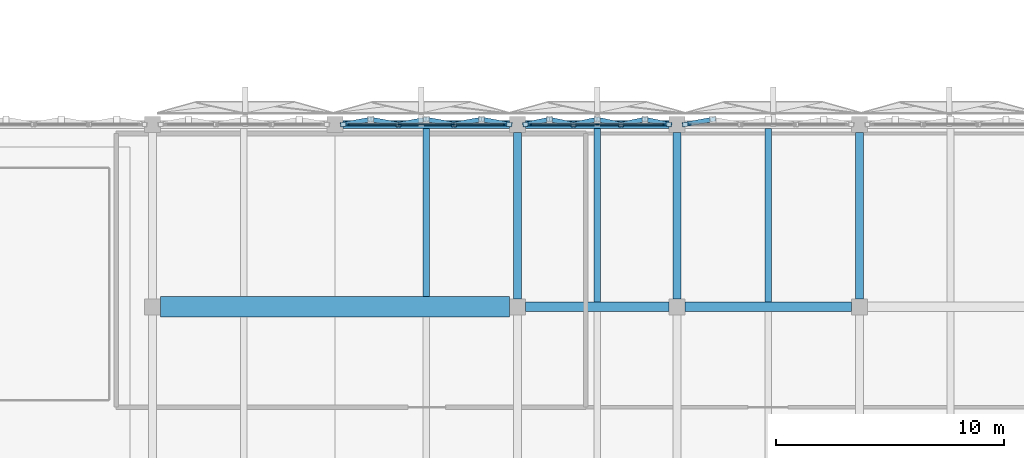
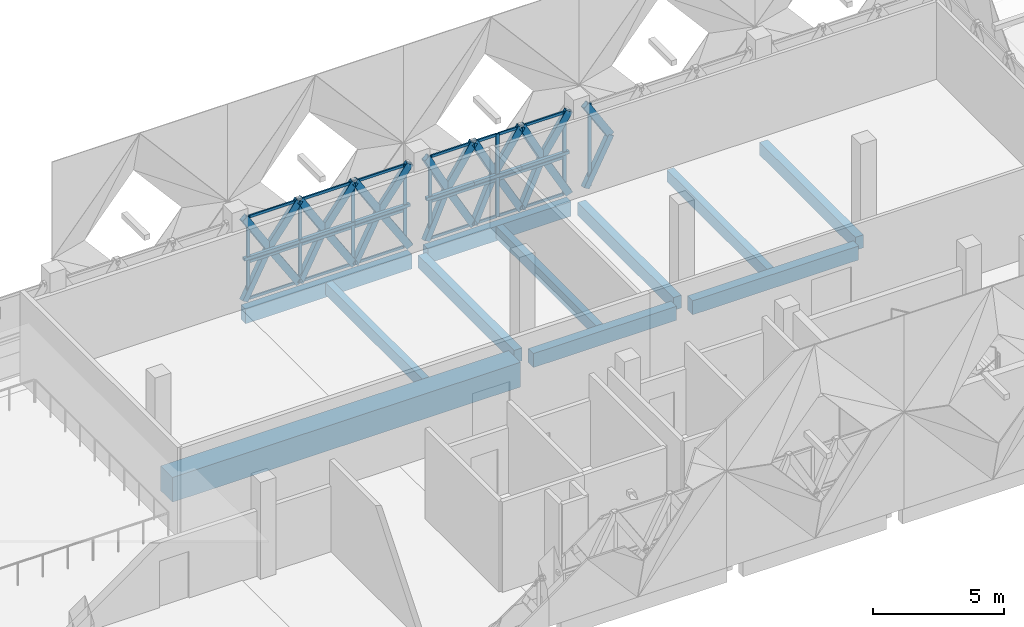
# One storey, part 14 of 37: 55 members, 11 beams, 3 elements without a shape of their own.
"""IFC4 building model written with IfcOpenShell, lengths in metres."""

from ifc_helpers import new_model, si_unit, direction, frame, origin, origin_2d, place, context, subcontext, project, spatial, rectangle, hollow_rectangle, extrude, material, layer, layer_set, material_profile, profile_set, type_object, element, aggregate, save


model = new_model("IFC4")

# Units and contexts
model_context = context("Model", 3, precision=1e-05, world=origin(), true_north=direction((0.0, 1.0)))
body_context = subcontext(model_context, "Body", "Model", "MODEL_VIEW")
ifc_project = project(units=[si_unit("LENGTHUNIT", "METRE"), si_unit("AREAUNIT", "SQUARE_METRE"), si_unit("VOLUMEUNIT", "CUBIC_METRE"), si_unit("PLANEANGLEUNIT", "RADIAN"), si_unit("MASSUNIT", "GRAM", prefix="KILO")], contexts=[model_context])

# Site, building, storey
site_placement = place(None, origin())
site = spatial("IfcSite", under=ifc_project, at=site_placement, CompositionType="ELEMENT")
building_placement = place(site_placement, origin())
building = spatial("IfcBuilding", under=site, at=building_placement, Name="Qorikala Patio Media Centre", CompositionType="ELEMENT")
storey_placement = place(building_placement, frame((0.0, 0.0, 14.39990234375)))
storey = spatial("IfcBuildingStorey", under=building, at=storey_placement, Name="L03", CompositionType="ELEMENT", Elevation=14.39990234375)

# Beams
ifc_material_1 = material(Name="Concrete C35/45", Category="concrete")
ifc_material_profile_1 = material_profile(ifc_material_1, rectangle(XDim=0.35009765625, YDim=0.60009765625, at=origin_2d()), Name="RC 350x600")
ifc_profile_set_1 = profile_set([ifc_material_profile_1], Name="Concrete C35/45")
beam_type_1 = type_object("IfcBeamType", Name="BM-G350X600", PredefinedType="BEAM", material=ifc_profile_set_1)
for number, where, z_axis, x_axis, name in (
    (1, (75.0, 19.35009765625, -0.599853515625), (0.0, 1.0, 0.0), (-1.0, 0.0, 0.0), "L03 Grid X=75 Beam 1252"),
    (2, (82.0, 19.35009765625, -0.599853515625), (0.0, 1.0, 0.0), (-1.0, 0.0, 0.0), "L03 Grid X=82 Beam 1258"),
    (3, (90.0, 19.35009765625, -0.599853515625), (0.0, 1.0, 0.0), (-1.0, 0.0, 0.0), "L03 Grid X=90 Beam 1260"),
):
    element("IfcBeam", number, at=place(storey_placement, frame(where, z_axis=z_axis, x_axis=x_axis)), inside=storey, type_object=beam_type_1, Name=name, PredefinedType="BEAM", context=body_context, shape_type="SweptSolid", body=[
        extrude(rectangle(XDim=0.35009765625, YDim=0.60009765625, at=origin_2d()), origin(), (0.0, 0.0, 1.0), 7.2998046875),
    ])
ifc_material_profile_2 = material_profile(ifc_material_1, rectangle(XDim=0.39990234375, YDim=0.64990234375, at=origin_2d()), Name="RC 400x650")
ifc_profile_set_2 = profile_set([ifc_material_profile_2], Name="Concrete C35/45")
beam_type_2 = type_object("IfcBeamType", Name="BM-G400X650", PredefinedType="BEAM", material=ifc_profile_set_2)
beam_1_placement = place(storey_placement, frame((75.35009765625, 19.0, -0.625), z_axis=(1.0, 0.0, 0.0), x_axis=(0.0, 1.0, 0.0)))
element("IfcBeam", 4, at=beam_1_placement, inside=storey, type_object=beam_type_2, Name="L03 Grid 19 Beam 1131", PredefinedType="BEAM", context=body_context, shape_type="SweptSolid", body=[
    extrude(rectangle(XDim=0.39990234375, YDim=0.64990234375, at=origin_2d()), origin(), (0.0, 0.0, 1.0), 6.2998046875),
])
beam_2_placement = place(storey_placement, frame((82.35009765625, 19.0, -0.625), z_axis=(1.0, 0.0, 0.0), x_axis=(0.0, 1.0, 0.0)))
element("IfcBeam", 5, at=beam_2_placement, inside=storey, type_object=beam_type_2, Name="L03 Grid 19 Beam 1132", PredefinedType="BEAM", context=body_context, shape_type="SweptSolid", body=[
    extrude(rectangle(XDim=0.39990234375, YDim=0.64990234375, at=origin_2d()), origin(), (0.0, 0.0, 1.0), 7.2998046875),
])
ifc_material_profile_3 = material_profile(ifc_material_1, rectangle(XDim=0.89990234375, YDim=1.14990234375, at=origin_2d()), Name="RC 900x1150")
ifc_profile_set_3 = profile_set([ifc_material_profile_3], Name="Concrete C35/45")
beam_type_3 = type_object("IfcBeamType", Name="BM-TR900X1150", PredefinedType="BEAM", material=ifc_profile_set_3)
beam_3_placement = place(storey_placement, frame((59.35009765625, 19.0, -0.875), z_axis=(1.0, 0.0, 0.0), x_axis=(0.0, 1.0, 0.0)))
element("IfcBeam", 6, at=beam_3_placement, inside=storey, type_object=beam_type_3, Name="L03 Grid 19 Beam 1130", PredefinedType="BEAM", context=body_context, shape_type="SweptSolid", body=[
    extrude(rectangle(XDim=0.89990234375, YDim=1.14990234375, at=origin_2d()), origin(), (0.0, 0.0, 1.0), 15.2998046875),
])

# Members
ifc_material_2 = material(Name="Golden Bronze Coated Steel S355", Category="steel")
ifc_material_profile_4 = material_profile(ifc_material_2, hollow_rectangle(XDim=0.139892578125, YDim=0.139892578125, WallThickness=0.006103515625, at=origin_2d()), Name="HSS140X140X6")
ifc_profile_set_4 = profile_set([ifc_material_profile_4], Name="Golden Bronze Coated Steel S355")
member_type_1 = type_object("IfcMemberType", Name="BRACE-DIA140", PredefinedType="BRACE", material=ifc_profile_set_4)
member_1_placement = place(storey_placement, frame((67.360107421875, 27.0, 1.925048828125), z_axis=(1.0, 0.0, 0.0), x_axis=(0.0, 1.0, 0.0)))
element("IfcMember", 7, at=member_1_placement, inside=storey, type_object=member_type_1, Name="L03 Diamond Fold Tie 097", PredefinedType="BRACE", context=body_context, shape_type="SweptSolid", body=[
    extrude(hollow_rectangle(XDim=0.139892578125, YDim=0.139892578125, WallThickness=0.006103515625, at=origin_2d()), origin(), (0.0, 0.0, 1.0), 2.426513671875),
])
member_2_placement = place(storey_placement, frame((69.78662109375, 27.0, 1.925048828125), z_axis=(1.0, 0.0, 0.0), x_axis=(0.0, 1.0, 0.0)))
element("IfcMember", 8, at=member_2_placement, inside=storey, type_object=member_type_1, Name="L03 Diamond Fold Tie 098", PredefinedType="BRACE", context=body_context, shape_type="SweptSolid", body=[
    extrude(hollow_rectangle(XDim=0.139892578125, YDim=0.139892578125, WallThickness=0.006103515625, at=origin_2d()), origin(), (0.0, 0.0, 1.0), 2.4267578125),
])
member_3_placement = place(storey_placement, frame((72.21337890625, 27.0, 1.925048828125), z_axis=(1.0, 0.0, 0.0), x_axis=(0.0, 1.0, 0.0)))
element("IfcMember", 9, at=member_3_placement, inside=storey, type_object=member_type_1, Name="L03 Diamond Fold Tie 099", PredefinedType="BRACE", context=body_context, shape_type="SweptSolid", body=[
    extrude(hollow_rectangle(XDim=0.139892578125, YDim=0.139892578125, WallThickness=0.006103515625, at=origin_2d()), origin(), (0.0, 0.0, 1.0), 2.426513671875),
])
for number, where, z_axis, x_axis, name in (
    (10, (75.360107421875, 27.0, 1.925048828125), (1.0, 0.0, 0.0), (0.0, 1.0, 0.0), "L03 Diamond Fold Tie 100"),
    (11, (77.453369140625, 27.0, 1.925048828125), (1.0, 0.0, 0.0), (0.0, 1.0, 0.0), "L03 Diamond Fold Tie 101"),
    (12, (79.546630859375, 27.0, 1.925048828125), (1.0, 0.0, 0.0), (0.0, 1.0, 0.0), "L03 Diamond Fold Tie 102"),
):
    element("IfcMember", number, at=place(storey_placement, frame(where, z_axis=z_axis, x_axis=x_axis)), inside=storey, type_object=member_type_1, Name=name, PredefinedType="BRACE", context=body_context, shape_type="SweptSolid", body=[
        extrude(hollow_rectangle(XDim=0.139892578125, YDim=0.139892578125, WallThickness=0.006103515625, at=origin_2d()), origin(), (0.0, 0.0, 1.0), 2.09326171875),
    ])

# Curtain wall, members
ifc_material_3 = material(Name="Golden Bronze Anodised Aluminium and Low-E Glass", Category="aluminium")
ifc_layer_1 = layer(ifc_material_3, 0.159912109375)
ifc_layer_set_1 = layer_set([ifc_layer_1], Name="Golden Bronze Anodised Aluminium and Low-E Glass")
curtain_wall_type_1 = type_object("IfcCurtainWallType", Name="CW-DIA-696X385", PredefinedType="USERDEFINED", material=ifc_layer_set_1)
curtain_wall_1_placement = place(storey_placement, origin())
curtain_wall_1 = element("IfcCurtainWall", 13, at=curtain_wall_1_placement, inside=storey, type_object=curtain_wall_type_1, Name="L03 Courtyard Curtain Wall 074", ObjectType="COURTYARD CURTAIN WALL", PredefinedType="USERDEFINED")
ifc_material_4 = material(Name="Golden Bronze Anodised Aluminium", Category="aluminium")
ifc_material_profile_5 = material_profile(ifc_material_4, rectangle(XDim=0.06494140625, YDim=0.14990234375, at=origin_2d()), Name="ALU MULLION 65x150")
ifc_profile_set_5 = profile_set([ifc_material_profile_5], Name="Golden Bronze Anodised Aluminium")
member_type_2 = type_object("IfcMemberType", Name="CWM-65X150", PredefinedType="MULLION", material=ifc_profile_set_5)
member_4_placement = place(storey_placement, frame((67.552490234375, 27.0, 0.0), z_axis=(0.0, 0.0, 1.0), x_axis=(0.0, 1.0, 0.0)))
member_4 = element("IfcMember", 14, at=member_4_placement, type_object=member_type_2, Name="CWD696385 mullion 1", PredefinedType="MULLION", context=body_context, shape_type="SweptSolid", body=[
    extrude(rectangle(XDim=0.06494140625, YDim=0.14990234375, at=origin_2d()), origin(), (0.0, 0.0, 1.0), 3.85009765625),
])
member_5_placement = place(storey_placement, frame((69.840087890625, 27.0, 0.0), z_axis=(0.0, 0.0, 1.0), x_axis=(0.0, 1.0, 0.0)))
member_5 = element("IfcMember", 15, at=member_5_placement, type_object=member_type_2, Name="CWD696385 mullion 2", PredefinedType="MULLION", context=body_context, shape_type="SweptSolid", body=[
    extrude(rectangle(XDim=0.06494140625, YDim=0.14990234375, at=origin_2d()), origin(), (0.0, 0.0, 1.0), 3.85009765625),
])
member_6_placement = place(storey_placement, frame((72.159912109375, 27.0, 0.0), z_axis=(0.0, 0.0, 1.0), x_axis=(0.0, 1.0, 0.0)))
member_6 = element("IfcMember", 16, at=member_6_placement, type_object=member_type_2, Name="CWD696385 mullion 3", PredefinedType="MULLION", context=body_context, shape_type="SweptSolid", body=[
    extrude(rectangle(XDim=0.06494140625, YDim=0.14990234375, at=origin_2d()), origin(), (0.0, 0.0, 1.0), 3.85009765625),
])
member_7_placement = place(storey_placement, frame((74.447509765625, 27.0, 0.0), z_axis=(0.0, 0.0, 1.0), x_axis=(0.0, 1.0, 0.0)))
member_7 = element("IfcMember", 17, at=member_7_placement, type_object=member_type_2, Name="CWD696385 mullion 4", PredefinedType="MULLION", context=body_context, shape_type="SweptSolid", body=[
    extrude(rectangle(XDim=0.06494140625, YDim=0.14990234375, at=origin_2d()), origin(), (0.0, 0.0, 1.0), 3.85009765625),
])

ifc_layer_2 = layer(ifc_material_3, 0.159912109375)
ifc_layer_set_2 = layer_set([ifc_layer_2], Name="Golden Bronze Anodised Aluminium and Low-E Glass")
curtain_wall_type_2 = type_object("IfcCurtainWallType", Name="CW-DIA-596X385", PredefinedType="USERDEFINED", material=ifc_layer_set_2)
curtain_wall_2_placement = place(storey_placement, origin())
curtain_wall_2 = element("IfcCurtainWall", 18, at=curtain_wall_2_placement, inside=storey, type_object=curtain_wall_type_2, Name="L03 Courtyard Curtain Wall 075", ObjectType="COURTYARD CURTAIN WALL", PredefinedType="USERDEFINED")
member_8_placement = place(storey_placement, frame((75.552490234375, 27.0, 0.0), z_axis=(0.0, 0.0, 1.0), x_axis=(0.0, 1.0, 0.0)))
member_8 = element("IfcMember", 19, at=member_8_placement, type_object=member_type_2, Name="CWD596385 mullion 1", PredefinedType="MULLION", context=body_context, shape_type="SweptSolid", body=[
    extrude(rectangle(XDim=0.06494140625, YDim=0.14990234375, at=origin_2d()), origin(), (0.0, 0.0, 1.0), 3.85009765625),
])
member_9_placement = place(storey_placement, frame((78.5, 27.0, 0.0), z_axis=(0.0, 0.0, 1.0), x_axis=(0.0, 1.0, 0.0)))
member_9 = element("IfcMember", 20, at=member_9_placement, type_object=member_type_2, Name="CWD596385 mullion 2", PredefinedType="MULLION", context=body_context, shape_type="SweptSolid", body=[
    extrude(rectangle(XDim=0.06494140625, YDim=0.14990234375, at=origin_2d()), origin(), (0.0, 0.0, 1.0), 3.85009765625),
])
member_10_placement = place(storey_placement, frame((81.447509765625, 27.0, 0.0), z_axis=(0.0, 0.0, 1.0), x_axis=(0.0, 1.0, 0.0)))
member_10 = element("IfcMember", 21, at=member_10_placement, type_object=member_type_2, Name="CWD596385 mullion 3", PredefinedType="MULLION", context=body_context, shape_type="SweptSolid", body=[
    extrude(rectangle(XDim=0.06494140625, YDim=0.14990234375, at=origin_2d()), origin(), (0.0, 0.0, 1.0), 3.85009765625),
])

# Curtain wall, member
curtain_wall_3_placement = place(storey_placement, origin())
curtain_wall_3 = element("IfcCurtainWall", 22, at=curtain_wall_3_placement, inside=storey, type_object=curtain_wall_type_1, Name="L03 Courtyard Curtain Wall 076", ObjectType="COURTYARD CURTAIN WALL", PredefinedType="USERDEFINED")
member_11_placement = place(storey_placement, frame((82.552490234375, 27.0, 0.0), z_axis=(0.0, 0.0, 1.0), x_axis=(0.0, 1.0, 0.0)))
member_11 = element("IfcMember", 23, at=member_11_placement, type_object=member_type_2, Name="CWD696385 mullion 1", PredefinedType="MULLION", context=body_context, shape_type="SweptSolid", body=[
    extrude(rectangle(XDim=0.06494140625, YDim=0.14990234375, at=origin_2d()), origin(), (0.0, 0.0, 1.0), 3.85009765625),
])
aggregate(curtain_wall_3, [member_11])

# Member
ifc_material_profile_6 = material_profile(ifc_material_4, rectangle(XDim=0.06494140625, YDim=0.1201171875, at=origin_2d()), Name="ALU TRANSOM 65x120")
ifc_profile_set_6 = profile_set([ifc_material_profile_6], Name="Golden Bronze Anodised Aluminium")
member_type_3 = type_object("IfcMemberType", Name="CWT-65X120", PredefinedType="USERDEFINED", material=ifc_profile_set_6)
member_12_placement = place(storey_placement, frame((67.5849609375, 27.0, 0.03271484375), z_axis=(1.0, 0.0, 0.0), x_axis=(0.0, 1.0, 0.0)))
member_12 = element("IfcMember", 24, at=member_12_placement, type_object=member_type_3, Name="CWD696385 transom 1.1", ObjectType="TRANSOM", PredefinedType="USERDEFINED", context=body_context, shape_type="SweptSolid", body=[
    extrude(rectangle(XDim=0.06494140625, YDim=0.1201171875, at=origin_2d()), origin(), (0.0, 0.0, 1.0), 2.22265625),
])

member_13_placement = place(storey_placement, frame((67.5849609375, 27.0, 1.732666015625), z_axis=(1.0, 0.0, 0.0), x_axis=(0.0, 1.0, 0.0)))
member_13 = element("IfcMember", 25, at=member_13_placement, type_object=member_type_3, Name="CWD696385 transom 1.2", ObjectType="TRANSOM", PredefinedType="USERDEFINED", context=body_context, shape_type="SweptSolid", body=[
    extrude(rectangle(XDim=0.06494140625, YDim=0.1201171875, at=origin_2d()), origin(), (0.0, 0.0, 1.0), 2.22265625),
])

member_14_placement = place(storey_placement, frame((67.5849609375, 27.0, 3.817626953125), z_axis=(1.0, 0.0, 0.0), x_axis=(0.0, 1.0, 0.0)))
member_14 = element("IfcMember", 26, at=member_14_placement, type_object=member_type_3, Name="CWD696385 transom 1.3", ObjectType="TRANSOM", PredefinedType="USERDEFINED", context=body_context, shape_type="SweptSolid", body=[
    extrude(rectangle(XDim=0.06494140625, YDim=0.1201171875, at=origin_2d()), origin(), (0.0, 0.0, 1.0), 2.22265625),
])

member_15_placement = place(storey_placement, frame((69.87255859375, 27.0, 0.03271484375), z_axis=(1.0, 0.0, 0.0), x_axis=(0.0, 1.0, 0.0)))
member_15 = element("IfcMember", 27, at=member_15_placement, type_object=member_type_3, Name="CWD696385 transom 2.1", ObjectType="TRANSOM", PredefinedType="USERDEFINED", context=body_context, shape_type="SweptSolid", body=[
    extrude(rectangle(XDim=0.06494140625, YDim=0.1201171875, at=origin_2d()), origin(), (0.0, 0.0, 1.0), 2.2548828125),
])

member_16_placement = place(storey_placement, frame((69.87255859375, 27.0, 1.732666015625), z_axis=(1.0, 0.0, 0.0), x_axis=(0.0, 1.0, 0.0)))
member_16 = element("IfcMember", 28, at=member_16_placement, type_object=member_type_3, Name="CWD696385 transom 2.2", ObjectType="TRANSOM", PredefinedType="USERDEFINED", context=body_context, shape_type="SweptSolid", body=[
    extrude(rectangle(XDim=0.06494140625, YDim=0.1201171875, at=origin_2d()), origin(), (0.0, 0.0, 1.0), 2.2548828125),
])

member_17_placement = place(storey_placement, frame((69.87255859375, 27.0, 3.817626953125), z_axis=(1.0, 0.0, 0.0), x_axis=(0.0, 1.0, 0.0)))
member_17 = element("IfcMember", 29, at=member_17_placement, type_object=member_type_3, Name="CWD696385 transom 2.3", ObjectType="TRANSOM", PredefinedType="USERDEFINED", context=body_context, shape_type="SweptSolid", body=[
    extrude(rectangle(XDim=0.06494140625, YDim=0.1201171875, at=origin_2d()), origin(), (0.0, 0.0, 1.0), 2.2548828125),
])

member_18_placement = place(storey_placement, frame((72.1923828125, 27.0, 0.03271484375), z_axis=(1.0, 0.0, 0.0), x_axis=(0.0, 1.0, 0.0)))
member_18 = element("IfcMember", 30, at=member_18_placement, type_object=member_type_3, Name="CWD696385 transom 3.1", ObjectType="TRANSOM", PredefinedType="USERDEFINED", context=body_context, shape_type="SweptSolid", body=[
    extrude(rectangle(XDim=0.06494140625, YDim=0.1201171875, at=origin_2d()), origin(), (0.0, 0.0, 1.0), 2.22265625),
])

member_19_placement = place(storey_placement, frame((72.1923828125, 27.0, 1.732666015625), z_axis=(1.0, 0.0, 0.0), x_axis=(0.0, 1.0, 0.0)))
member_19 = element("IfcMember", 31, at=member_19_placement, type_object=member_type_3, Name="CWD696385 transom 3.2", ObjectType="TRANSOM", PredefinedType="USERDEFINED", context=body_context, shape_type="SweptSolid", body=[
    extrude(rectangle(XDim=0.06494140625, YDim=0.1201171875, at=origin_2d()), origin(), (0.0, 0.0, 1.0), 2.22265625),
])

member_20_placement = place(storey_placement, frame((72.1923828125, 27.0, 3.817626953125), z_axis=(1.0, 0.0, 0.0), x_axis=(0.0, 1.0, 0.0)))
member_20 = element("IfcMember", 32, at=member_20_placement, type_object=member_type_3, Name="CWD696385 transom 3.3", ObjectType="TRANSOM", PredefinedType="USERDEFINED", context=body_context, shape_type="SweptSolid", body=[
    extrude(rectangle(XDim=0.06494140625, YDim=0.1201171875, at=origin_2d()), origin(), (0.0, 0.0, 1.0), 2.22265625),
])

aggregate(curtain_wall_1, [member_4, member_5, member_6, member_7, member_12, member_13, member_14, member_15, member_16, member_17, member_18, member_19, member_20])

member_21_placement = place(storey_placement, frame((75.5849609375, 27.0, 0.03271484375), z_axis=(1.0, 0.0, 0.0), x_axis=(0.0, 1.0, 0.0)))
member_21 = element("IfcMember", 33, at=member_21_placement, type_object=member_type_3, Name="CWD596385 transom 1.1", ObjectType="TRANSOM", PredefinedType="USERDEFINED", context=body_context, shape_type="SweptSolid", body=[
    extrude(rectangle(XDim=0.06494140625, YDim=0.1201171875, at=origin_2d()), origin(), (0.0, 0.0, 1.0), 2.882568359375),
])

member_22_placement = place(storey_placement, frame((75.5849609375, 27.0, 1.732666015625), z_axis=(1.0, 0.0, 0.0), x_axis=(0.0, 1.0, 0.0)))
member_22 = element("IfcMember", 34, at=member_22_placement, type_object=member_type_3, Name="CWD596385 transom 1.2", ObjectType="TRANSOM", PredefinedType="USERDEFINED", context=body_context, shape_type="SweptSolid", body=[
    extrude(rectangle(XDim=0.06494140625, YDim=0.1201171875, at=origin_2d()), origin(), (0.0, 0.0, 1.0), 2.882568359375),
])

member_23_placement = place(storey_placement, frame((75.5849609375, 27.0, 3.817626953125), z_axis=(1.0, 0.0, 0.0), x_axis=(0.0, 1.0, 0.0)))
member_23 = element("IfcMember", 35, at=member_23_placement, type_object=member_type_3, Name="CWD596385 transom 1.3", ObjectType="TRANSOM", PredefinedType="USERDEFINED", context=body_context, shape_type="SweptSolid", body=[
    extrude(rectangle(XDim=0.06494140625, YDim=0.1201171875, at=origin_2d()), origin(), (0.0, 0.0, 1.0), 2.882568359375),
])

member_24_placement = place(storey_placement, frame((78.532470703125, 27.0, 0.03271484375), z_axis=(1.0, 0.0, 0.0), x_axis=(0.0, 1.0, 0.0)))
member_24 = element("IfcMember", 36, at=member_24_placement, type_object=member_type_3, Name="CWD596385 transom 2.1", ObjectType="TRANSOM", PredefinedType="USERDEFINED", context=body_context, shape_type="SweptSolid", body=[
    extrude(rectangle(XDim=0.06494140625, YDim=0.1201171875, at=origin_2d()), origin(), (0.0, 0.0, 1.0), 2.882568359375),
])

member_25_placement = place(storey_placement, frame((78.532470703125, 27.0, 1.732666015625), z_axis=(1.0, 0.0, 0.0), x_axis=(0.0, 1.0, 0.0)))
member_25 = element("IfcMember", 37, at=member_25_placement, type_object=member_type_3, Name="CWD596385 transom 2.2", ObjectType="TRANSOM", PredefinedType="USERDEFINED", context=body_context, shape_type="SweptSolid", body=[
    extrude(rectangle(XDim=0.06494140625, YDim=0.1201171875, at=origin_2d()), origin(), (0.0, 0.0, 1.0), 2.882568359375),
])

member_26_placement = place(storey_placement, frame((78.532470703125, 27.0, 3.817626953125), z_axis=(1.0, 0.0, 0.0), x_axis=(0.0, 1.0, 0.0)))
member_26 = element("IfcMember", 38, at=member_26_placement, type_object=member_type_3, Name="CWD596385 transom 2.3", ObjectType="TRANSOM", PredefinedType="USERDEFINED", context=body_context, shape_type="SweptSolid", body=[
    extrude(rectangle(XDim=0.06494140625, YDim=0.1201171875, at=origin_2d()), origin(), (0.0, 0.0, 1.0), 2.882568359375),
])

aggregate(curtain_wall_2, [member_8, member_9, member_10, member_21, member_22, member_23, member_24, member_25, member_26])

# Beams
ifc_material_profile_7 = material_profile(ifc_material_1, rectangle(XDim=0.300048828125, YDim=0.550048828125, at=origin_2d()), Name="RC 300x550")
ifc_profile_set_7 = profile_set([ifc_material_profile_7], Name="Concrete C35/45")
beam_type_4 = type_object("IfcBeamType", Name="JS-300X550", PredefinedType="JOIST", material=ifc_profile_set_7)
beam_4_placement = place(storey_placement, frame((71.0, 19.449951171875, -0.574951171875), z_axis=(0.0, 1.0, 0.0), x_axis=(-1.0, 0.0, 0.0)))
element("IfcBeam", 39, at=beam_4_placement, inside=storey, type_object=beam_type_4, Name="L03 Secondary Joist 1307", PredefinedType="JOIST", context=body_context, shape_type="SweptSolid", body=[
    extrude(rectangle(XDim=0.300048828125, YDim=0.550048828125, at=origin_2d()), origin(), (0.0, 0.0, 1.0), 7.375),
])
for number, where, z_axis, x_axis, name in (
    (40, (78.5, 19.199951171875, -0.574951171875), (0.0, 1.0, 0.0), (-1.0, 0.0, 0.0), "L03 Secondary Joist 1313"),
    (41, (86.0, 19.199951171875, -0.574951171875), (0.0, 1.0, 0.0), (-1.0, 0.0, 0.0), "L03 Secondary Joist 1315"),
):
    element("IfcBeam", number, at=place(storey_placement, frame(where, z_axis=z_axis, x_axis=x_axis)), inside=storey, type_object=beam_type_4, Name=name, PredefinedType="JOIST", context=body_context, shape_type="SweptSolid", body=[
        extrude(rectangle(XDim=0.300048828125, YDim=0.550048828125, at=origin_2d()), origin(), (0.0, 0.0, 1.0), 7.625),
    ])
ifc_material_profile_8 = material_profile(ifc_material_1, rectangle(XDim=0.35009765625, YDim=0.679931640625, at=origin_2d()), Name="RC 350x680")
ifc_profile_set_8 = profile_set([ifc_material_profile_8], Name="Concrete C35/45")
beam_type_5 = type_object("IfcBeamType", Name="SP-350X680", PredefinedType="SPANDREL", material=ifc_profile_set_8)
beam_5_placement = place(storey_placement, frame((67.35009765625, 27.0, -0.639892578125), z_axis=(1.0, 0.0, 0.0), x_axis=(0.0, 1.0, 0.0)))
element("IfcBeam", 42, at=beam_5_placement, inside=storey, type_object=beam_type_5, Name="L03 Grid 27 Beam 1142", PredefinedType="SPANDREL", context=body_context, shape_type="SweptSolid", body=[
    extrude(rectangle(XDim=0.35009765625, YDim=0.679931640625, at=origin_2d()), origin(), (0.0, 0.0, 1.0), 7.2998046875),
])
beam_6_placement = place(storey_placement, frame((75.35009765625, 27.0, -0.639892578125), z_axis=(1.0, 0.0, 0.0), x_axis=(0.0, 1.0, 0.0)))
element("IfcBeam", 43, at=beam_6_placement, inside=storey, type_object=beam_type_5, Name="L03 Grid 27 Beam 1143", PredefinedType="SPANDREL", context=body_context, shape_type="SweptSolid", body=[
    extrude(rectangle(XDim=0.35009765625, YDim=0.679931640625, at=origin_2d()), origin(), (0.0, 0.0, 1.0), 6.2998046875),
])

# Members
ifc_material_profile_9 = material_profile(ifc_material_2, hollow_rectangle(XDim=0.199951171875, YDim=0.300048828125, WallThickness=0.011962890625, at=origin_2d()), Name="HSS300X200X12")
ifc_profile_set_9 = profile_set([ifc_material_profile_9], Name="Golden Bronze Coated Steel S355")
member_type_4 = type_object("IfcMemberType", Name="STRUT-DIA300", PredefinedType="STRUT", material=ifc_profile_set_9)
member_27_placement = place(storey_placement, frame((67.360107421875, 27.0, 0.0), z_axis=(0.530691378365, 0.095906793675, 0.842121456713), x_axis=(-0.17783968734, 0.984059472596, 0.0)))
element("IfcMember", 44, at=member_27_placement, inside=storey, type_object=member_type_4, Name="L03 Diamond Foyer Fold Strut 097-DL1", PredefinedType="STRUT", context=body_context, shape_type="SweptSolid", body=[
    extrude(hollow_rectangle(XDim=0.199951171875, YDim=0.300048828125, WallThickness=0.011962890625, at=origin_2d()), origin(), (0.0, 0.0, 1.0), 2.285888671875),
])
member_28_placement = place(storey_placement, frame((69.78662109375, 27.0, 0.0), z_axis=(-0.530768093717, 0.095901357778, 0.842073726148), x_axis=(-0.177805036072, -0.98406573416, 0.0)))
element("IfcMember", 45, at=member_28_placement, inside=storey, type_object=member_type_4, Name="L03 Diamond Foyer Fold Strut 097-DL2", PredefinedType="STRUT", context=body_context, shape_type="SweptSolid", body=[
    extrude(hollow_rectangle(XDim=0.199951171875, YDim=0.300048828125, WallThickness=0.011962890625, at=origin_2d()), origin(), (0.0, 0.0, 1.0), 2.2861328125),
])
member_29_placement = place(storey_placement, frame((68.5732421875, 27.21923828125, 1.925048828125), z_axis=(-0.530691378365, -0.095906793675, 0.842121456713), x_axis=(0.17783968734, -0.984059472596, 0.0)))
element("IfcMember", 46, at=member_29_placement, inside=storey, type_object=member_type_4, Name="L03 Diamond Foyer Fold Strut 097-DU1", PredefinedType="STRUT", context=body_context, shape_type="SweptSolid", body=[
    extrude(hollow_rectangle(XDim=0.199951171875, YDim=0.300048828125, WallThickness=0.011962890625, at=origin_2d()), origin(), (0.0, 0.0, 1.0), 2.285888671875),
])
for number, where, z_axis, x_axis, name in (
    (47, (68.5732421875, 27.21923828125, 1.925048828125), (0.530768093717, -0.095901357778, 0.842073726148), (0.177805036072, 0.98406573416, 0.0), "L03 Diamond Foyer Fold Strut 097-DU2"),
    (48, (69.78662109375, 27.0, 0.0), (0.530768093717, 0.095901357778, 0.842073726148), (-0.177805036072, 0.98406573416, 0.0), "L03 Diamond Foyer Fold Strut 098-DL1"),
    (49, (72.21337890625, 27.0, 0.0), (-0.530768093717, 0.095901357778, 0.842073726148), (-0.177805036072, -0.98406573416, 0.0), "L03 Diamond Foyer Fold Strut 098-DL2"),
    (50, (71.0, 27.21923828125, 1.925048828125), (-0.530768093717, -0.095901357778, 0.842073726148), (0.177805036072, -0.98406573416, 0.0), "L03 Diamond Foyer Fold Strut 098-DU1"),
    (51, (71.0, 27.21923828125, 1.925048828125), (0.530768093717, -0.095901357778, 0.842073726148), (0.177805036072, 0.98406573416, 0.0), "L03 Diamond Foyer Fold Strut 098-DU2"),
    (52, (72.21337890625, 27.0, 0.0), (0.530768093717, 0.095901357778, 0.842073726148), (-0.177805036072, 0.98406573416, 0.0), "L03 Diamond Foyer Fold Strut 099-DL1"),
):
    element("IfcMember", number, at=place(storey_placement, frame(where, z_axis=z_axis, x_axis=x_axis)), inside=storey, type_object=member_type_4, Name=name, PredefinedType="STRUT", context=body_context, shape_type="SweptSolid", body=[
        extrude(hollow_rectangle(XDim=0.199951171875, YDim=0.300048828125, WallThickness=0.011962890625, at=origin_2d()), origin(), (0.0, 0.0, 1.0), 2.2861328125),
    ])
member_30_placement = place(storey_placement, frame((74.639892578125, 27.0, 0.0), z_axis=(-0.530691378365, 0.095906793675, 0.842121456713), x_axis=(-0.17783968734, -0.984059472596, 0.0)))
element("IfcMember", 53, at=member_30_placement, inside=storey, type_object=member_type_4, Name="L03 Diamond Foyer Fold Strut 099-DL2", PredefinedType="STRUT", context=body_context, shape_type="SweptSolid", body=[
    extrude(hollow_rectangle(XDim=0.199951171875, YDim=0.300048828125, WallThickness=0.011962890625, at=origin_2d()), origin(), (0.0, 0.0, 1.0), 2.285888671875),
])
member_31_placement = place(storey_placement, frame((73.4267578125, 27.21923828125, 1.925048828125), z_axis=(-0.530768093717, -0.095901357778, 0.842073726148), x_axis=(0.177805036072, -0.98406573416, 0.0)))
element("IfcMember", 54, at=member_31_placement, inside=storey, type_object=member_type_4, Name="L03 Diamond Foyer Fold Strut 099-DU1", PredefinedType="STRUT", context=body_context, shape_type="SweptSolid", body=[
    extrude(hollow_rectangle(XDim=0.199951171875, YDim=0.300048828125, WallThickness=0.011962890625, at=origin_2d()), origin(), (0.0, 0.0, 1.0), 2.2861328125),
])
member_32_placement = place(storey_placement, frame((73.4267578125, 27.21923828125, 1.925048828125), z_axis=(0.530691378365, -0.095906793675, 0.842121456713), x_axis=(0.17783968734, 0.984059472596, 0.0)))
element("IfcMember", 55, at=member_32_placement, inside=storey, type_object=member_type_4, Name="L03 Diamond Foyer Fold Strut 099-DU2", PredefinedType="STRUT", context=body_context, shape_type="SweptSolid", body=[
    extrude(hollow_rectangle(XDim=0.199951171875, YDim=0.300048828125, WallThickness=0.011962890625, at=origin_2d()), origin(), (0.0, 0.0, 1.0), 2.285888671875),
])
for number, where, z_axis, x_axis, name in (
    (56, (75.360107421875, 27.0, 0.0), (0.475284177813, 0.099558010654, 0.87418141872), (-0.205020837962, 0.9787576084, 0.0), "L03 Diamond Foyer Fold Strut 100-DL1"),
    (57, (77.453369140625, 27.0, 0.0), (-0.475284177813, 0.099558010654, 0.87418141872), (-0.205020837962, -0.9787576084, 0.0), "L03 Diamond Foyer Fold Strut 100-DL2"),
    (58, (76.40673828125, 27.21923828125, 1.925048828125), (-0.475284177813, -0.099558010654, 0.87418141872), (0.205020837962, -0.9787576084, 0.0), "L03 Diamond Foyer Fold Strut 100-DU1"),
    (59, (76.40673828125, 27.21923828125, 1.925048828125), (0.475284177813, -0.099558010654, 0.87418141872), (0.205020837962, 0.9787576084, 0.0), "L03 Diamond Foyer Fold Strut 100-DU2"),
    (60, (77.453369140625, 27.0, 0.0), (0.475284177813, 0.099558010654, 0.87418141872), (-0.205020837962, 0.9787576084, 0.0), "L03 Diamond Foyer Fold Strut 101-DL1"),
    (61, (79.546630859375, 27.0, 0.0), (-0.475284177813, 0.099558010654, 0.87418141872), (-0.205020837962, -0.9787576084, 0.0), "L03 Diamond Foyer Fold Strut 101-DL2"),
    (62, (78.5, 27.21923828125, 1.925048828125), (-0.475284177813, -0.099558010654, 0.87418141872), (0.205020837962, -0.9787576084, 0.0), "L03 Diamond Foyer Fold Strut 101-DU1"),
    (63, (78.5, 27.21923828125, 1.925048828125), (0.475284177813, -0.099558010654, 0.87418141872), (0.205020837962, 0.9787576084, 0.0), "L03 Diamond Foyer Fold Strut 101-DU2"),
    (64, (79.546630859375, 27.0, 0.0), (0.475284177813, 0.099558010654, 0.87418141872), (-0.205020837962, 0.9787576084, 0.0), "L03 Diamond Foyer Fold Strut 102-DL1"),
    (65, (81.639892578125, 27.0, 0.0), (-0.475284177813, 0.099558010654, 0.87418141872), (-0.205020837962, -0.9787576084, 0.0), "L03 Diamond Foyer Fold Strut 102-DL2"),
    (66, (80.59326171875, 27.21923828125, 1.925048828125), (-0.475284177813, -0.099558010654, 0.87418141872), (0.205020837962, -0.9787576084, 0.0), "L03 Diamond Foyer Fold Strut 102-DU1"),
    (67, (80.59326171875, 27.21923828125, 1.925048828125), (0.475284177813, -0.099558010654, 0.87418141872), (0.205020837962, 0.9787576084, 0.0), "L03 Diamond Foyer Fold Strut 102-DU2"),
):
    element("IfcMember", number, at=place(storey_placement, frame(where, z_axis=z_axis, x_axis=x_axis)), inside=storey, type_object=member_type_4, Name=name, PredefinedType="STRUT", context=body_context, shape_type="SweptSolid", body=[
        extrude(hollow_rectangle(XDim=0.199951171875, YDim=0.300048828125, WallThickness=0.011962890625, at=origin_2d()), origin(), (0.0, 0.0, 1.0), 2.2021484375),
    ])
for number, where, z_axis, x_axis, name in (
    (68, (82.360107421875, 27.0, 0.0), (0.530691378365, 0.095906793675, 0.842121456713), (-0.17783968734, 0.984059472596, 0.0), "L03 Diamond Foyer Fold Strut 103-DL1"),
    (69, (83.5732421875, 27.21923828125, 1.925048828125), (-0.530691378365, -0.095906793675, 0.842121456713), (0.17783968734, -0.984059472596, 0.0), "L03 Diamond Foyer Fold Strut 103-DU1"),
):
    element("IfcMember", number, at=place(storey_placement, frame(where, z_axis=z_axis, x_axis=x_axis)), inside=storey, type_object=member_type_4, Name=name, PredefinedType="STRUT", context=body_context, shape_type="SweptSolid", body=[
        extrude(hollow_rectangle(XDim=0.199951171875, YDim=0.300048828125, WallThickness=0.011962890625, at=origin_2d()), origin(), (0.0, 0.0, 1.0), 2.285888671875),
    ])

save(model, "model.ifc")
